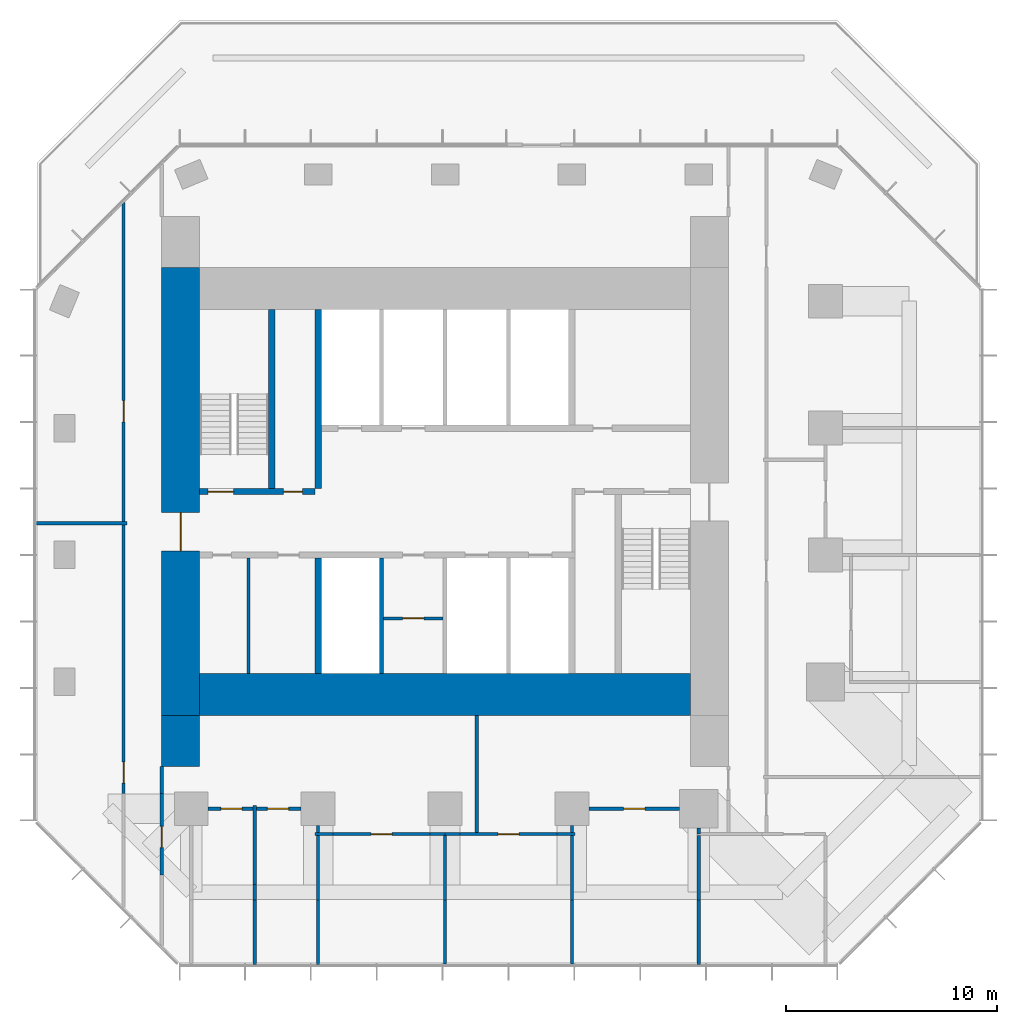
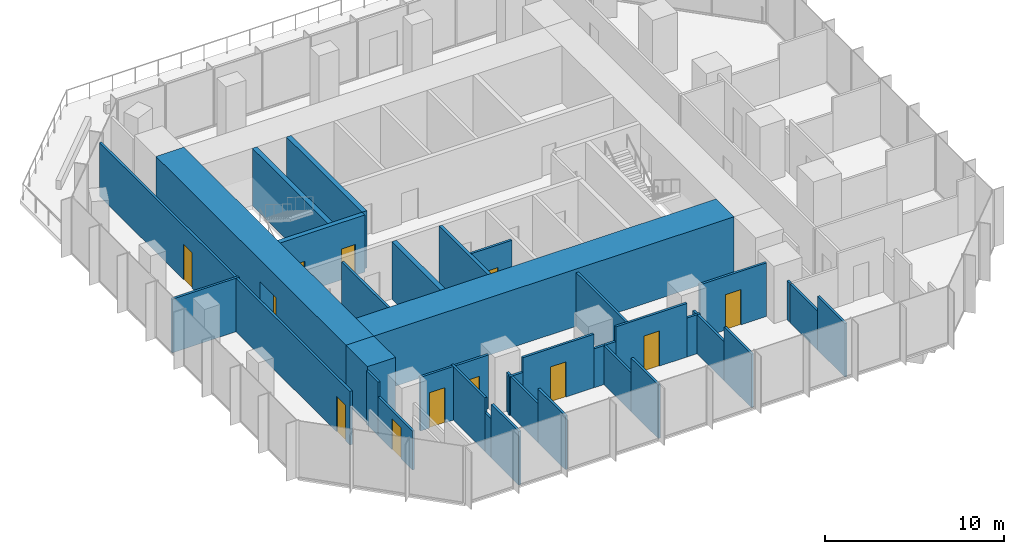
# One storey, part 8 of 11: 39 walls, 12 doors, 12 openings.
"""IFC4 building model written with IfcOpenShell, lengths in metres."""

from ifc_helpers import new_model, si_unit, direction, frame, frame_2d, origin, place, context, subcontext, project, spatial, rectangle, extrude, material, layer, layer_set, type_object, element, fill, save


model = new_model("IFC4")

# Units and contexts
model_context = context("Model", 3, precision=1e-05, world=origin(), true_north=direction((0.0, 1.0)))
body_context = subcontext(model_context, "Body", "Model", "MODEL_VIEW")
ifc_project = project(units=[si_unit("LENGTHUNIT", "METRE"), si_unit("AREAUNIT", "SQUARE_METRE"), si_unit("VOLUMEUNIT", "CUBIC_METRE"), si_unit("PLANEANGLEUNIT", "RADIAN"), si_unit("MASSUNIT", "GRAM", prefix="KILO")], contexts=[model_context])

# Site, building, storey
site_placement = place(None, origin())
site = spatial("IfcSite", under=ifc_project, at=site_placement, CompositionType="ELEMENT")
building_placement = place(site_placement, origin())
building = spatial("IfcBuilding", under=site, at=building_placement, Name="Highveld Stack Headquarters", CompositionType="ELEMENT")
storey_placement = place(building_placement, frame((0.0, 0.0, 268.39990234375)))
storey = spatial("IfcBuildingStorey", under=building, at=storey_placement, Name="L66", CompositionType="ELEMENT", Elevation=268.39990234375)

# Wall, opening, door
ifc_material_1 = material(Name="Concrete C60/75", Category="concrete")
ifc_layer_1 = layer(ifc_material_1, 1.800048828125)
ifc_layer_set_1 = layer_set([ifc_layer_1], Name="Concrete C60/75")
wall_type_1 = type_object("IfcWallType", Name="CORE WALL 1800 C60/75", PredefinedType="SHEAR", material=ifc_layer_set_1)
wall_1_placement = place(storey_placement, frame((-6.5, -7.60009765625, 0.0), z_axis=(0.0, 0.0, 1.0), x_axis=(0.0, 1.0, 0.0)))
wall_1 = element("IfcWall", 1, at=wall_1_placement, inside=storey, type_object=wall_type_1, Name="Core wall W L66", PredefinedType="SHEAR", context=body_context, shape_type="SweptSolid", body=[
    extrude(rectangle(XDim=21.2001953125, YDim=1.800048828125, at=frame_2d((10.60009765625, 0.0))), origin(), (0.0, 0.0, 1.0), 3.900146484375),
])
opening_1_placement = place(wall_1_placement, frame((7.800048828125, 0.0, 0.0)))
opening_1 = element("IfcOpeningElement", 2, at=opening_1_placement, cuts=wall_1, Name="Opening L66-02", PredefinedType="OPENING", context=body_context, shape_type="SweptSolid", body=[
    extrude(rectangle(XDim=1.800048828125, YDim=2.39990234375, at=frame_2d((0.89990234375, 1.199951171875))), frame((0.0, 0.909912109375, 0.0), z_axis=(0.0, -1.0, 0.0), x_axis=(1.0, 0.0, 0.0)), (0.0, 0.0, 1.0), 1.820068359375),
])
ifc_material_2 = material(Name="Steel fire door", Category="steel")
door_type_1 = type_object("IfcDoorType", Name="LOBBY FIRE DOOR D4 1800x2400", OperationType="DOUBLE_DOOR_SINGLE_SWING", PredefinedType="DOOR", material=ifc_material_2)
door_1_placement = place(opening_1_placement, origin())
door_1 = element("IfcDoor", 3, at=door_1_placement, inside=storey, type_object=door_type_1, Name="Core west door L66", OperationType="DOUBLE_DOOR_SINGLE_SWING", OverallHeight=2.39990234375, OverallWidth=1.800048828125, PredefinedType="DOOR", context=body_context, shape_type="SweptSolid", body=[
    extrude(rectangle(XDim=1.800048828125, YDim=2.39990234375, at=frame_2d((0.89990234375, 1.199951171875))), frame((0.0, 0.02490234375, 0.0), z_axis=(0.0, -1.0, 0.0), x_axis=(1.0, 0.0, 0.0)), (0.0, 0.0, 1.0), 0.050048828125),
])
fill(opening_1, door_1)

# Wall
ifc_material_3 = material(Name="Concrete C60/75", Category="concrete")
ifc_layer_2 = layer(ifc_material_3, 2.0)
ifc_layer_set_2 = layer_set([ifc_layer_2], Name="Concrete C60/75")
wall_type_2 = type_object("IfcWallType", Name="CORE WALL 2000 C60/75", PredefinedType="SHEAR", material=ifc_layer_set_2)
wall_2_placement = place(storey_placement, frame((-5.60009765625, -6.60009765625, 0.0), z_axis=(0.0, 0.0, 1.0), x_axis=(1.0, 0.0, 0.0)))
element("IfcWall", 4, at=wall_2_placement, inside=storey, type_object=wall_type_2, Name="Core wall S L66", PredefinedType="SHEAR", context=body_context, shape_type="SweptSolid", body=[
    extrude(rectangle(XDim=23.2001953125, YDim=2.0, at=frame_2d((11.60009765625, 0.0))), origin(), (0.0, 0.0, 1.0), 3.900146484375),
])

# Wall, openings, doors
ifc_material_4 = material(Name="Concrete C60/75", Category="concrete")
ifc_layer_3 = layer(ifc_material_4, 0.300048828125)
ifc_layer_set_3 = layer_set([ifc_layer_3], Name="Concrete C60/75")
wall_type_3 = type_object("IfcWallType", Name="CORE WALL 300 C60/75", PredefinedType="SHEAR", material=ifc_layer_set_3)
wall_3_placement = place(storey_placement, frame((-5.60009765625, 3.0, 0.0), z_axis=(0.0, 0.0, 1.0), x_axis=(1.0, 0.0, 0.0)))
wall_3 = element("IfcWall", 5, at=wall_3_placement, inside=storey, type_object=wall_type_3, Name="Core wall I-Y3W L66", PredefinedType="SHEAR", context=body_context, shape_type="SweptSolid", body=[
    extrude(rectangle(XDim=5.4501953125, YDim=0.300048828125, at=frame_2d((2.72509765625, 0.0))), origin(), (0.0, 0.0, 1.0), 3.900146484375),
])
opening_2_placement = place(wall_3_placement, frame((0.39990234375, 0.0, 0.0)))
opening_2 = element("IfcOpeningElement", 6, at=opening_2_placement, cuts=wall_3, Name="Opening L66-04", PredefinedType="OPENING", context=body_context, shape_type="SweptSolid", body=[
    extrude(rectangle(XDim=1.199951171875, YDim=2.10009765625, at=frame_2d((0.60009765625, 1.050048828125))), frame((0.0, 0.159912109375, 0.0), z_axis=(0.0, -1.0, 0.0), x_axis=(1.0, 0.0, 0.0)), (0.0, 0.0, 1.0), 0.320068359375),
])
opening_3_placement = place(wall_3_placement, frame((3.949951171875, 0.0, 0.0)))
opening_3 = element("IfcOpeningElement", 7, at=opening_3_placement, cuts=wall_3, Name="Opening L66-05", PredefinedType="OPENING", context=body_context, shape_type="SweptSolid", body=[
    extrude(rectangle(XDim=0.89990234375, YDim=2.10009765625, at=frame_2d((0.449951171875, 1.050048828125))), frame((0.0, 0.159912109375, 0.0), z_axis=(0.0, -1.0, 0.0), x_axis=(1.0, 0.0, 0.0)), (0.0, 0.0, 1.0), 0.320068359375),
])
ifc_material_5 = material(Name="Steel fire door", Category="steel")
door_type_2 = type_object("IfcDoorType", Name="RISER ACCESS DOOR D5 900x2100", OperationType="SINGLE_SWING_LEFT", PredefinedType="DOOR", material=ifc_material_5)
door_2_placement = place(opening_3_placement, origin())
door_2 = element("IfcDoor", 8, at=door_2_placement, inside=storey, type_object=door_type_2, Name="Riser R1 door L66", OperationType="SINGLE_SWING_RIGHT", OverallHeight=2.10009765625, OverallWidth=0.89990234375, PredefinedType="DOOR", context=body_context, shape_type="SweptSolid", body=[
    extrude(rectangle(XDim=0.89990234375, YDim=2.10009765625, at=frame_2d((0.449951171875, 1.050048828125))), frame((0.0, 0.02490234375, 0.0), z_axis=(0.0, -1.0, 0.0), x_axis=(1.0, 0.0, 0.0)), (0.0, 0.0, 1.0), 0.050048828125),
])
fill(opening_3, door_2)
ifc_material_6 = material(Name="Steel fire door", Category="steel")
door_type_3 = type_object("IfcDoorType", Name="STAIR FIRE DOOR D3 1200x2100", OperationType="SINGLE_SWING_LEFT", PredefinedType="DOOR", material=ifc_material_6)
door_3_placement = place(opening_2_placement, origin())
door_3 = element("IfcDoor", 9, at=door_3_placement, inside=storey, type_object=door_type_3, Name="Stair S1 door L66", OperationType="SINGLE_SWING_LEFT", OverallHeight=2.10009765625, OverallWidth=1.199951171875, PredefinedType="DOOR", context=body_context, shape_type="SweptSolid", body=[
    extrude(rectangle(XDim=1.199951171875, YDim=2.10009765625, at=frame_2d((0.60009765625, 1.050048828125))), frame((0.0, 0.02490234375, 0.0), z_axis=(0.0, -1.0, 0.0), x_axis=(1.0, 0.0, 0.0)), (0.0, 0.0, 1.0), 0.050048828125),
])
fill(opening_2, door_3)

# Walls
wall_4_placement = place(storey_placement, frame((0.0, -5.60009765625, 0.0), z_axis=(0.0, 0.0, 1.0), x_axis=(0.0, 1.0, 0.0)))
element("IfcWall", 10, at=wall_4_placement, inside=storey, type_object=wall_type_3, Name="Core wall I-X0S L66", PredefinedType="SHEAR", context=body_context, shape_type="SweptSolid", body=[
    extrude(rectangle(XDim=5.4501953125, YDim=0.300048828125, at=frame_2d((2.72509765625, 0.0))), origin(), (0.0, 0.0, 1.0), 3.900146484375),
])
for number, where, z_axis, x_axis, name in (
    (11, (0.0, 3.14990234375, 0.0), (0.0, 0.0, 1.0), (0.0, 1.0, 0.0), "Core wall I-X0N L66"),
    (12, (-2.199951171875, 3.14990234375, 0.0), (0.0, 0.0, 1.0), (0.0, 1.0, 0.0), "Core wall I-RW L66"),
):
    element("IfcWall", number, at=place(storey_placement, frame(where, z_axis=z_axis, x_axis=x_axis)), inside=storey, type_object=wall_type_3, Name=name, PredefinedType="SHEAR", context=body_context, shape_type="SweptSolid", body=[
        extrude(rectangle(XDim=8.4501953125, YDim=0.300048828125, at=frame_2d((4.22509765625, 0.0))), origin(), (0.0, 0.0, 1.0), 3.900146484375),
    ])
ifc_material_7 = material(Name="Concrete C60/75", Category="concrete")
ifc_layer_4 = layer(ifc_material_7, 1.800048828125)
ifc_layer_set_4 = layer_set([ifc_layer_4], Name="Concrete C60/75")
wall_type_4 = type_object("IfcWallType", Name="CORE WING WALL 1800 C60/75", PredefinedType="SHEAR", material=ifc_layer_set_4)
wall_5_placement = place(storey_placement, frame((-6.5, -10.0, 0.0), z_axis=(0.0, 0.0, 1.0), x_axis=(0.0, 1.0, 0.0)))
element("IfcWall", 13, at=wall_5_placement, inside=storey, type_object=wall_type_4, Name="Core wing wall WS L66", PredefinedType="SHEAR", context=body_context, shape_type="SweptSolid", body=[
    extrude(rectangle(XDim=2.39990234375, YDim=1.800048828125, at=frame_2d((1.199951171875, 0.0))), origin(), (0.0, 0.0, 1.0), 3.900146484375),
])

# Wall, opening, door
ifc_material_8 = material(Name="Concrete blockwork, plastered", Category="masonry")
ifc_layer_5 = layer(ifc_material_8, 0.14990234375)
ifc_layer_set_5 = layer_set([ifc_layer_5], Name="Concrete blockwork, plastered")
wall_type_5 = type_object("IfcWallType", Name="FIRE PARTITION 150 BLOCKWORK", PredefinedType="PARTITIONING", material=ifc_layer_set_5)
wall_6_placement = place(storey_placement, frame((3.10009765625, -3.0, 0.0), z_axis=(0.0, 0.0, 1.0), x_axis=(1.0, 0.0, 0.0)))
wall_6 = element("IfcWall", 14, at=wall_6_placement, inside=storey, type_object=wall_type_5, Name="Core room partition L66", PredefinedType="PARTITIONING", context=body_context, shape_type="SweptSolid", body=[
    extrude(rectangle(XDim=2.7998046875, YDim=0.14990234375, at=frame_2d((1.39990234375, 0.0))), origin(), (0.0, 0.0, 1.0), 3.650146484375),
])
opening_4_placement = place(wall_6_placement, frame((0.89990234375, 0.0, 0.0)))
opening_4 = element("IfcOpeningElement", 15, at=opening_4_placement, cuts=wall_6, Name="Opening L66-11", PredefinedType="OPENING", context=body_context, shape_type="SweptSolid", body=[
    extrude(rectangle(XDim=1.0, YDim=2.10009765625, at=frame_2d((0.5, 1.050048828125))), frame((0.0, 0.0849609375, 0.0), z_axis=(0.0, -1.0, 0.0), x_axis=(1.0, 0.0, 0.0)), (0.0, 0.0, 1.0), 0.169921875),
])
ifc_material_9 = material(Name="Steel fire door", Category="steel")
door_type_4 = type_object("IfcDoorType", Name="CORE ROOM FIRE DOOR D14 1000x2100", OperationType="SINGLE_SWING_LEFT", PredefinedType="DOOR", material=ifc_material_9)
door_4_placement = place(opening_4_placement, origin())
door_4 = element("IfcDoor", 16, at=door_4_placement, inside=storey, type_object=door_type_4, Name="Capped B 2 door L66", OperationType="SINGLE_SWING_RIGHT", OverallHeight=2.10009765625, OverallWidth=1.0, PredefinedType="DOOR", context=body_context, shape_type="SweptSolid", body=[
    extrude(rectangle(XDim=1.0, YDim=2.10009765625, at=frame_2d((0.5, 1.050048828125))), frame((0.0, 0.02490234375, 0.0), z_axis=(0.0, -1.0, 0.0), x_axis=(1.0, 0.0, 0.0)), (0.0, 0.0, 1.0), 0.050048828125),
])
fill(opening_4, door_4)

# Walls
ifc_material_10 = material(Name="Concrete blockwork, fair-faced", Category="masonry")
ifc_layer_6 = layer(ifc_material_10, 0.199951171875)
ifc_layer_set_6 = layer_set([ifc_layer_6], Name="Concrete blockwork, fair-faced")
wall_type_6 = type_object("IfcWallType", Name="LIFT SHAFT ENCLOSURE WALL 200 BLOCKWORK", PredefinedType="SOLIDWALL", material=ifc_layer_set_6)
wall_7_placement = place(storey_placement, frame((3.0, -5.60009765625, 0.0), z_axis=(0.0, 0.0, 1.0), x_axis=(0.0, 1.0, 0.0)))
element("IfcWall", 17, at=wall_7_placement, inside=storey, type_object=wall_type_6, Name="Lift shaft wall L66", PredefinedType="SOLIDWALL", context=body_context, shape_type="SweptSolid", body=[
    extrude(rectangle(XDim=5.4501953125, YDim=0.199951171875, at=frame_2d((2.72509765625, 0.0))), origin(), (0.0, 0.0, 1.0), 3.900146484375),
])
ifc_material_11 = material(Name="Gypsum plasterboard on steel studs", Category="steel")
ifc_layer_7 = layer(ifc_material_11, 0.14990234375)
ifc_layer_set_7 = layer_set([ifc_layer_7], Name="Gypsum plasterboard on steel studs")
wall_type_7 = type_object("IfcWallType", Name="PARTITION 150 PLASTERBOARD", PredefinedType="PARTITIONING", material=ifc_layer_set_7)
wall_8_placement = place(storey_placement, frame((-0.14990234375, -13.199951171875, 0.0), z_axis=(0.0, 0.0, 1.0), x_axis=(1.0, 0.0, 0.0)))
element("IfcWall", 18, at=wall_8_placement, inside=storey, type_object=wall_type_7, Name="Partition Assistants office L66", PredefinedType="PARTITIONING", context=body_context, shape_type="SweptSolid", body=[
    extrude(rectangle(XDim=0.85986328125, YDim=0.14990234375, at=frame_2d((0.429931640625, 0.0))), origin(), (0.0, 0.0, 1.0), 2.650146484375),
])

# Wall, opening, door
wall_9_placement = place(storey_placement, frame((0.7099609375, -13.199951171875, 0.0), z_axis=(0.0, 0.0, 1.0), x_axis=(1.0, 0.0, 0.0)))
wall_9 = element("IfcWall", 19, at=wall_9_placement, inside=storey, type_object=wall_type_7, Name="Partition Assistants office L66", PredefinedType="PARTITIONING", context=body_context, shape_type="SweptSolid", body=[
    extrude(rectangle(XDim=4.580078125, YDim=0.14990234375, at=frame_2d((2.2900390625, 0.0))), origin(), (0.0, 0.0, 1.0), 3.650146484375),
])
opening_5_placement = place(wall_9_placement, frame((1.7900390625, 0.0, 0.0)))
opening_5 = element("IfcOpeningElement", 20, at=opening_5_placement, cuts=wall_9, Name="Opening L66-15", PredefinedType="OPENING", context=body_context, shape_type="SweptSolid", body=[
    extrude(rectangle(XDim=1.0, YDim=2.39990234375, at=frame_2d((0.5, 1.199951171875))), frame((0.0, 0.0849609375, 0.0), z_axis=(0.0, -1.0, 0.0), x_axis=(1.0, 0.0, 0.0)), (0.0, 0.0, 1.0), 0.169921875),
])
ifc_material_12 = material(Name="Timber door, oiled ash", Category="wood")
door_type_5 = type_object("IfcDoorType", Name="ROOM DOOR D11 1000x2400", OperationType="SINGLE_SWING_LEFT", PredefinedType="DOOR", material=ifc_material_12)
door_5_placement = place(opening_5_placement, origin())
door_5 = element("IfcDoor", 21, at=door_5_placement, inside=storey, type_object=door_type_5, Name="Assistants office door 1 L66", OperationType="SINGLE_SWING_LEFT", OverallHeight=2.39990234375, OverallWidth=1.0, PredefinedType="DOOR", context=body_context, shape_type="SweptSolid", body=[
    extrude(rectangle(XDim=1.0, YDim=2.39990234375, at=frame_2d((0.5, 1.199951171875))), frame((0.0, 0.02490234375, 0.0), z_axis=(0.0, -1.0, 0.0), x_axis=(1.0, 0.0, 0.0)), (0.0, 0.0, 1.0), 0.050048828125),
])
fill(opening_5, door_5)

# Walls
wall_10_placement = place(storey_placement, frame((5.2900390625, -13.199951171875, 0.0), z_axis=(0.0, 0.0, 1.0), x_axis=(1.0, 0.0, 0.0)))
element("IfcWall", 22, at=wall_10_placement, inside=storey, type_object=wall_type_7, Name="Partition Assistants office L66", PredefinedType="PARTITIONING", context=body_context, shape_type="SweptSolid", body=[
    extrude(rectangle(XDim=0.784912109375, YDim=0.14990234375, at=frame_2d((0.392578125, 0.0))), origin(), (0.0, 0.0, 1.0), 2.650146484375),
])
wall_11_placement = place(storey_placement, frame((6.0, -13.199951171875, 0.0), z_axis=(0.0, 0.0, 1.0), x_axis=(1.0, 0.0, 0.0)))
element("IfcWall", 23, at=wall_11_placement, inside=storey, type_object=wall_type_7, Name="Partition Tea kitchen L66", PredefinedType="PARTITIONING", context=body_context, shape_type="SweptSolid", body=[
    extrude(rectangle(XDim=0.7099609375, YDim=0.14990234375, at=frame_2d((0.35498046875, 0.0))), origin(), (0.0, 0.0, 1.0), 2.650146484375),
])

# Wall, opening, door
wall_12_placement = place(storey_placement, frame((6.7099609375, -13.199951171875, 0.0), z_axis=(0.0, 0.0, 1.0), x_axis=(1.0, 0.0, 0.0)))
wall_12 = element("IfcWall", 24, at=wall_12_placement, inside=storey, type_object=wall_type_7, Name="Partition Tea kitchen L66", PredefinedType="PARTITIONING", context=body_context, shape_type="SweptSolid", body=[
    extrude(rectangle(XDim=4.580078125, YDim=0.14990234375, at=frame_2d((2.2900390625, 0.0))), origin(), (0.0, 0.0, 1.0), 3.650146484375),
])
opening_6_placement = place(wall_12_placement, frame((1.7900390625, 0.0, 0.0)))
opening_6 = element("IfcOpeningElement", 25, at=opening_6_placement, cuts=wall_12, Name="Opening L66-16", PredefinedType="OPENING", context=body_context, shape_type="SweptSolid", body=[
    extrude(rectangle(XDim=1.0, YDim=2.39990234375, at=frame_2d((0.5, 1.199951171875))), frame((0.0, 0.0849609375, 0.0), z_axis=(0.0, -1.0, 0.0), x_axis=(1.0, 0.0, 0.0)), (0.0, 0.0, 1.0), 0.169921875),
])
door_6_placement = place(opening_6_placement, origin())
door_6 = element("IfcDoor", 26, at=door_6_placement, inside=storey, type_object=door_type_5, Name="Tea kitchen door 1 L66", OperationType="SINGLE_SWING_LEFT", OverallHeight=2.39990234375, OverallWidth=1.0, PredefinedType="DOOR", context=body_context, shape_type="SweptSolid", body=[
    extrude(rectangle(XDim=1.0, YDim=2.39990234375, at=frame_2d((0.5, 1.199951171875))), frame((0.0, 0.02490234375, 0.0), z_axis=(0.0, -1.0, 0.0), x_axis=(1.0, 0.0, 0.0)), (0.0, 0.0, 1.0), 0.050048828125),
])
fill(opening_6, door_6)

# Wall
wall_13_placement = place(storey_placement, frame((11.2900390625, -13.199951171875, 0.0), z_axis=(0.0, 0.0, 1.0), x_axis=(1.0, 0.0, 0.0)))
element("IfcWall", 27, at=wall_13_placement, inside=storey, type_object=wall_type_7, Name="Partition Tea kitchen L66", PredefinedType="PARTITIONING", context=body_context, shape_type="SweptSolid", body=[
    extrude(rectangle(XDim=0.85986328125, YDim=0.14990234375, at=frame_2d((0.429931640625, 0.0))), origin(), (0.0, 0.0, 1.0), 2.650146484375),
])

# Wall, opening, door
wall_14_placement = place(storey_placement, frame((-5.199951171875, -12.0, 0.0), z_axis=(0.0, 0.0, 1.0), x_axis=(1.0, 0.0, 0.0)))
wall_14 = element("IfcWall", 28, at=wall_14_placement, inside=storey, type_object=wall_type_7, Name="Partition Office L66", PredefinedType="PARTITIONING", context=body_context, shape_type="SweptSolid", body=[
    extrude(rectangle(XDim=2.125, YDim=0.14990234375, at=frame_2d((1.0625, 0.0))), origin(), (0.0, 0.0, 1.0), 3.650146484375),
])
opening_7_placement = place(wall_14_placement, frame((0.60009765625, 0.0, 0.0)))
opening_7 = element("IfcOpeningElement", 29, at=opening_7_placement, cuts=wall_14, Name="Opening L66-13", PredefinedType="OPENING", context=body_context, shape_type="SweptSolid", body=[
    extrude(rectangle(XDim=1.0, YDim=2.39990234375, at=frame_2d((0.5, 1.199951171875))), frame((0.0, 0.0849609375, 0.0), z_axis=(0.0, -1.0, 0.0), x_axis=(1.0, 0.0, 0.0)), (0.0, 0.0, 1.0), 0.169921875),
])
door_7_placement = place(opening_7_placement, origin())
door_7 = element("IfcDoor", 30, at=door_7_placement, inside=storey, type_object=door_type_5, Name="Office door 1 L66", OperationType="SINGLE_SWING_RIGHT", OverallHeight=2.39990234375, OverallWidth=1.0, PredefinedType="DOOR", context=body_context, shape_type="SweptSolid", body=[
    extrude(rectangle(XDim=1.0, YDim=2.39990234375, at=frame_2d((0.5, 1.199951171875))), frame((0.0, 0.02490234375, 0.0), z_axis=(0.0, -1.0, 0.0), x_axis=(1.0, 0.0, 0.0)), (0.0, 0.0, 1.0), 0.050048828125),
])
fill(opening_7, door_7)

wall_15_placement = place(storey_placement, frame((-2.925048828125, -12.0, 0.0), z_axis=(0.0, 0.0, 1.0), x_axis=(1.0, 0.0, 0.0)))
wall_15 = element("IfcWall", 31, at=wall_15_placement, inside=storey, type_object=wall_type_7, Name="Partition Office L66", PredefinedType="PARTITIONING", context=body_context, shape_type="SweptSolid", body=[
    extrude(rectangle(XDim=2.125, YDim=0.14990234375, at=frame_2d((1.0625, 0.0))), origin(), (0.0, 0.0, 1.0), 3.650146484375),
])
opening_8_placement = place(wall_15_placement, frame((0.52490234375, 0.0, 0.0)))
opening_8 = element("IfcOpeningElement", 32, at=opening_8_placement, cuts=wall_15, Name="Opening L66-14", PredefinedType="OPENING", context=body_context, shape_type="SweptSolid", body=[
    extrude(rectangle(XDim=1.0, YDim=2.39990234375, at=frame_2d((0.5, 1.199951171875))), frame((0.0, 0.0849609375, 0.0), z_axis=(0.0, -1.0, 0.0), x_axis=(1.0, 0.0, 0.0)), (0.0, 0.0, 1.0), 0.169921875),
])
door_8_placement = place(opening_8_placement, origin())
door_8 = element("IfcDoor", 33, at=door_8_placement, inside=storey, type_object=door_type_5, Name="Office door 1 L66", OperationType="SINGLE_SWING_LEFT", OverallHeight=2.39990234375, OverallWidth=1.0, PredefinedType="DOOR", context=body_context, shape_type="SweptSolid", body=[
    extrude(rectangle(XDim=1.0, YDim=2.39990234375, at=frame_2d((0.5, 1.199951171875))), frame((0.0, 0.02490234375, 0.0), z_axis=(0.0, -1.0, 0.0), x_axis=(1.0, 0.0, 0.0)), (0.0, 0.0, 1.0), 0.050048828125),
])
fill(opening_8, door_8)

wall_16_placement = place(storey_placement, frame((12.800048828125, -12.0, 0.0), z_axis=(0.0, 0.0, 1.0), x_axis=(1.0, 0.0, 0.0)))
wall_16 = element("IfcWall", 34, at=wall_16_placement, inside=storey, type_object=wall_type_7, Name="Partition Executive office L66", PredefinedType="PARTITIONING", context=body_context, shape_type="SweptSolid", body=[
    extrude(rectangle(XDim=4.300048828125, YDim=0.14990234375, at=frame_2d((2.14990234375, 0.0))), origin(), (0.0, 0.0, 1.0), 3.650146484375),
])
opening_9_placement = place(wall_16_placement, frame((1.64990234375, 0.0, 0.0)))
opening_9 = element("IfcOpeningElement", 35, at=opening_9_placement, cuts=wall_16, Name="Opening L66-17", PredefinedType="OPENING", context=body_context, shape_type="SweptSolid", body=[
    extrude(rectangle(XDim=1.0, YDim=2.39990234375, at=frame_2d((0.5, 1.199951171875))), frame((0.0, 0.0849609375, 0.0), z_axis=(0.0, -1.0, 0.0), x_axis=(1.0, 0.0, 0.0)), (0.0, 0.0, 1.0), 0.169921875),
])
door_9_placement = place(opening_9_placement, origin())
door_9 = element("IfcDoor", 36, at=door_9_placement, inside=storey, type_object=door_type_5, Name="Executive office door 1 L66", OperationType="SINGLE_SWING_RIGHT", OverallHeight=2.39990234375, OverallWidth=1.0, PredefinedType="DOOR", context=body_context, shape_type="SweptSolid", body=[
    extrude(rectangle(XDim=1.0, YDim=2.39990234375, at=frame_2d((0.5, 1.199951171875))), frame((0.0, 0.02490234375, 0.0), z_axis=(0.0, -1.0, 0.0), x_axis=(1.0, 0.0, 0.0)), (0.0, 0.0, 1.0), 0.050048828125),
])
fill(opening_9, door_9)

# Walls
wall_17_placement = place(storey_placement, frame((-3.0, -19.375, 0.0), z_axis=(0.0, 0.0, 1.0), x_axis=(0.0, 1.0, 0.0)))
element("IfcWall", 37, at=wall_17_placement, inside=storey, type_object=wall_type_7, Name="Partition Office L66", PredefinedType="PARTITIONING", context=body_context, shape_type="SweptSolid", body=[
    extrude(rectangle(XDim=3.06494140625, YDim=0.14990234375, at=frame_2d((1.532470703125, 0.0))), origin(), (0.0, 0.0, 1.0), 3.650146484375),
])
wall_18_placement = place(storey_placement, frame((-3.0, -16.31005859375, 0.0), z_axis=(0.0, 0.0, 1.0), x_axis=(0.0, 1.0, 0.0)))
element("IfcWall", 38, at=wall_18_placement, inside=storey, type_object=wall_type_7, Name="Partition Office L66", PredefinedType="PARTITIONING", context=body_context, shape_type="SweptSolid", body=[
    extrude(rectangle(XDim=0.719970703125, YDim=0.14990234375, at=frame_2d((0.35986328125, 0.0))), origin(), (0.0, 0.0, 1.0), 2.650146484375),
])
wall_19_placement = place(storey_placement, frame((-3.0, -15.590087890625, 0.0), z_axis=(0.0, 0.0, 1.0), x_axis=(0.0, 1.0, 0.0)))
element("IfcWall", 39, at=wall_19_placement, inside=storey, type_object=wall_type_7, Name="Partition Office L66", PredefinedType="PARTITIONING", context=body_context, shape_type="SweptSolid", body=[
    extrude(rectangle(XDim=3.739990234375, YDim=0.14990234375, at=frame_2d((1.8701171875, 0.0))), origin(), (0.0, 0.0, 1.0), 3.650146484375),
])
wall_20_placement = place(storey_placement, frame((0.0, -19.375, 0.0), z_axis=(0.0, 0.0, 1.0), x_axis=(0.0, 1.0, 0.0)))
element("IfcWall", 40, at=wall_20_placement, inside=storey, type_object=wall_type_7, Name="Partition Assistants office / Office L66", PredefinedType="PARTITIONING", context=body_context, shape_type="SweptSolid", body=[
    extrude(rectangle(XDim=3.06494140625, YDim=0.14990234375, at=frame_2d((1.532470703125, 0.0))), origin(), (0.0, 0.0, 1.0), 3.650146484375),
])
wall_21_placement = place(storey_placement, frame((0.0, -16.31005859375, 0.0), z_axis=(0.0, 0.0, 1.0), x_axis=(0.0, 1.0, 0.0)))
element("IfcWall", 41, at=wall_21_placement, inside=storey, type_object=wall_type_7, Name="Partition Assistants office / Office L66", PredefinedType="PARTITIONING", context=body_context, shape_type="SweptSolid", body=[
    extrude(rectangle(XDim=3.03515625, YDim=0.14990234375, at=frame_2d((1.517578125, 0.0))), origin(), (0.0, 0.0, 1.0), 2.650146484375),
])
wall_22_placement = place(storey_placement, frame((0.0, -13.125, 0.0), z_axis=(0.0, 0.0, 1.0), x_axis=(0.0, 1.0, 0.0)))
element("IfcWall", 42, at=wall_22_placement, inside=storey, type_object=wall_type_7, Name="Partition Office L66", PredefinedType="PARTITIONING", context=body_context, shape_type="SweptSolid", body=[
    extrude(rectangle(XDim=0.324951171875, YDim=0.14990234375, at=frame_2d((0.16259765625, 0.0))), origin(), (0.0, 0.0, 1.0), 2.650146484375),
])
wall_23_placement = place(storey_placement, frame((6.0, -19.35009765625, 0.0), z_axis=(0.0, 0.0, 1.0), x_axis=(0.0, 1.0, 0.0)))
element("IfcWall", 43, at=wall_23_placement, inside=storey, type_object=wall_type_7, Name="Partition Assistants office / Tea kitchen L66", PredefinedType="PARTITIONING", context=body_context, shape_type="SweptSolid", body=[
    extrude(rectangle(XDim=3.0400390625, YDim=0.14990234375, at=frame_2d((1.52001953125, 0.0))), origin(), (0.0, 0.0, 1.0), 3.650146484375),
])
wall_24_placement = place(storey_placement, frame((6.0, -16.31005859375, 0.0), z_axis=(0.0, 0.0, 1.0), x_axis=(0.0, 1.0, 0.0)))
element("IfcWall", 44, at=wall_24_placement, inside=storey, type_object=wall_type_7, Name="Partition Assistants office / Tea kitchen L66", PredefinedType="PARTITIONING", context=body_context, shape_type="SweptSolid", body=[
    extrude(rectangle(XDim=3.03515625, YDim=0.14990234375, at=frame_2d((1.517578125, 0.0))), origin(), (0.0, 0.0, 1.0), 2.650146484375),
])
wall_25_placement = place(storey_placement, frame((12.0, -19.35009765625, 0.0), z_axis=(0.0, 0.0, 1.0), x_axis=(0.0, 1.0, 0.0)))
element("IfcWall", 45, at=wall_25_placement, inside=storey, type_object=wall_type_7, Name="Partition Executive office / Tea kitchen L66", PredefinedType="PARTITIONING", context=body_context, shape_type="SweptSolid", body=[
    extrude(rectangle(XDim=3.0400390625, YDim=0.14990234375, at=frame_2d((1.52001953125, 0.0))), origin(), (0.0, 0.0, 1.0), 3.650146484375),
])
wall_26_placement = place(storey_placement, frame((12.0, -16.31005859375, 0.0), z_axis=(0.0, 0.0, 1.0), x_axis=(0.0, 1.0, 0.0)))
element("IfcWall", 46, at=wall_26_placement, inside=storey, type_object=wall_type_7, Name="Partition Executive office / Tea kitchen L66", PredefinedType="PARTITIONING", context=body_context, shape_type="SweptSolid", body=[
    extrude(rectangle(XDim=3.03515625, YDim=0.14990234375, at=frame_2d((1.517578125, 0.0))), origin(), (0.0, 0.0, 1.0), 2.650146484375),
])
wall_27_placement = place(storey_placement, frame((12.0, -13.125, 0.0), z_axis=(0.0, 0.0, 1.0), x_axis=(0.0, 1.0, 0.0)))
element("IfcWall", 47, at=wall_27_placement, inside=storey, type_object=wall_type_7, Name="Partition Executive office L66", PredefinedType="PARTITIONING", context=body_context, shape_type="SweptSolid", body=[
    extrude(rectangle(XDim=0.324951171875, YDim=0.14990234375, at=frame_2d((0.16259765625, 0.0))), origin(), (0.0, 0.0, 1.0), 2.650146484375),
])
wall_28_placement = place(storey_placement, frame((18.0, -19.375, 0.0), z_axis=(0.0, 0.0, 1.0), x_axis=(0.0, 1.0, 0.0)))
element("IfcWall", 48, at=wall_28_placement, inside=storey, type_object=wall_type_7, Name="Partition Assistants office / Executive office L66", PredefinedType="PARTITIONING", context=body_context, shape_type="SweptSolid", body=[
    extrude(rectangle(XDim=3.06494140625, YDim=0.14990234375, at=frame_2d((1.532470703125, 0.0))), origin(), (0.0, 0.0, 1.0), 3.650146484375),
])
wall_29_placement = place(storey_placement, frame((18.0, -16.31005859375, 0.0), z_axis=(0.0, 0.0, 1.0), x_axis=(0.0, 1.0, 0.0)))
element("IfcWall", 49, at=wall_29_placement, inside=storey, type_object=wall_type_7, Name="Partition Assistants office / Executive office L66", PredefinedType="PARTITIONING", context=body_context, shape_type="SweptSolid", body=[
    extrude(rectangle(XDim=3.03515625, YDim=0.14990234375, at=frame_2d((1.517578125, 0.0))), origin(), (0.0, 0.0, 1.0), 2.650146484375),
])
wall_30_placement = place(storey_placement, frame((18.0, -13.199951171875, 0.0), z_axis=(0.0, 0.0, 1.0), x_axis=(0.0, 1.0, 0.0)))
element("IfcWall", 50, at=wall_30_placement, inside=storey, type_object=wall_type_7, Name="Partition Executive office L66", PredefinedType="PARTITIONING", context=body_context, shape_type="SweptSolid", body=[
    extrude(rectangle(XDim=0.300048828125, YDim=0.14990234375, at=frame_2d((0.14990234375, 0.0))), origin(), (0.0, 0.0, 1.0), 2.650146484375),
])
wall_31_placement = place(storey_placement, frame((-13.375, 1.5, 0.0), z_axis=(0.0, 0.0, 1.0), x_axis=(1.0, 0.0, 0.0)))
element("IfcWall", 51, at=wall_31_placement, inside=storey, type_object=wall_type_7, Name="Partition office neighbourhood L66", PredefinedType="PARTITIONING", context=body_context, shape_type="SweptSolid", body=[
    extrude(rectangle(XDim=4.324951171875, YDim=0.14990234375, at=frame_2d((2.16259765625, 0.0))), origin(), (0.0, 0.0, 1.0), 3.650146484375),
])

# Wall, opening, door
wall_32_placement = place(storey_placement, frame((-9.199951171875, -11.2900390625, 0.0), z_axis=(0.0, 0.0, 1.0), x_axis=(0.0, 1.0, 0.0)))
wall_32 = element("IfcWall", 52, at=wall_32_placement, inside=storey, type_object=wall_type_7, Name="Partition office neighbourhood L66", PredefinedType="PARTITIONING", context=body_context, shape_type="SweptSolid", body=[
    extrude(rectangle(XDim=12.715087890625, YDim=0.14990234375, at=frame_2d((6.357421875, 0.0))), origin(), (0.0, 0.0, 1.0), 3.650146484375),
])
opening_10_placement = place(wall_32_placement, frame((0.5, 0.0, 0.0)))
opening_10 = element("IfcOpeningElement", 53, at=opening_10_placement, cuts=wall_32, Name="Opening L66-22", PredefinedType="OPENING", context=body_context, shape_type="SweptSolid", body=[
    extrude(rectangle(XDim=1.0, YDim=2.39990234375, at=frame_2d((0.5, 1.199951171875))), frame((0.0, 0.0849609375, 0.0), z_axis=(0.0, -1.0, 0.0), x_axis=(1.0, 0.0, 0.0)), (0.0, 0.0, 1.0), 0.169921875),
])
door_10_placement = place(opening_10_placement, origin())
door_10 = element("IfcDoor", 54, at=door_10_placement, inside=storey, type_object=door_type_5, Name="Office neighbourhood door L66", OperationType="SINGLE_SWING_LEFT", OverallHeight=2.39990234375, OverallWidth=1.0, PredefinedType="DOOR", context=body_context, shape_type="SweptSolid", body=[
    extrude(rectangle(XDim=1.0, YDim=2.39990234375, at=frame_2d((0.5, 1.199951171875))), frame((0.0, 0.02490234375, 0.0), z_axis=(0.0, -1.0, 0.0), x_axis=(1.0, 0.0, 0.0)), (0.0, 0.0, 1.0), 0.050048828125),
])
fill(opening_10, door_10)

wall_33_placement = place(storey_placement, frame((-9.199951171875, 1.574951171875, 0.0), z_axis=(0.0, 0.0, 1.0), x_axis=(0.0, 1.0, 0.0)))
wall_33 = element("IfcWall", 55, at=wall_33_placement, inside=storey, type_object=wall_type_7, Name="Partition office neighbourhood L66", PredefinedType="PARTITIONING", context=body_context, shape_type="SweptSolid", body=[
    extrude(rectangle(XDim=15.089111328125, YDim=0.14990234375, at=frame_2d((7.54443359375, 0.0))), origin(), (0.0, 0.0, 1.0), 3.650146484375),
])
opening_11_placement = place(wall_33_placement, frame((4.72412109375, 0.0, 0.0)))
opening_11 = element("IfcOpeningElement", 56, at=opening_11_placement, cuts=wall_33, Name="Opening L66-24", PredefinedType="OPENING", context=body_context, shape_type="SweptSolid", body=[
    extrude(rectangle(XDim=1.0, YDim=2.39990234375, at=frame_2d((0.5, 1.199951171875))), frame((0.0, 0.0849609375, 0.0), z_axis=(0.0, -1.0, 0.0), x_axis=(1.0, 0.0, 0.0)), (0.0, 0.0, 1.0), 0.169921875),
])
door_11_placement = place(opening_11_placement, origin())
door_11 = element("IfcDoor", 57, at=door_11_placement, inside=storey, type_object=door_type_5, Name="Office neighbourhood door L66", OperationType="SINGLE_SWING_LEFT", OverallHeight=2.39990234375, OverallWidth=1.0, PredefinedType="DOOR", context=body_context, shape_type="SweptSolid", body=[
    extrude(rectangle(XDim=1.0, YDim=2.39990234375, at=frame_2d((0.5, 1.199951171875))), frame((0.0, 0.02490234375, 0.0), z_axis=(0.0, -1.0, 0.0), x_axis=(1.0, 0.0, 0.0)), (0.0, 0.0, 1.0), 0.050048828125),
])
fill(opening_11, door_11)

wall_34_placement = place(storey_placement, frame((-7.39990234375, -15.139892578125, 0.0), z_axis=(0.0, 0.0, 1.0), x_axis=(0.0, 1.0, 0.0)))
wall_34 = element("IfcWall", 58, at=wall_34_placement, inside=storey, type_object=wall_type_7, Name="Partition office neighbourhood L66", PredefinedType="PARTITIONING", context=body_context, shape_type="SweptSolid", body=[
    extrude(rectangle(XDim=3.849853515625, YDim=0.14990234375, at=frame_2d((1.9248046875, 0.0))), origin(), (0.0, 0.0, 1.0), 2.650146484375),
])
opening_12_placement = place(wall_34_placement, frame((1.300048828125, 0.0, 0.0)))
opening_12 = element("IfcOpeningElement", 59, at=opening_12_placement, cuts=wall_34, Name="Opening L66-26", PredefinedType="OPENING", context=body_context, shape_type="SweptSolid", body=[
    extrude(rectangle(XDim=1.0, YDim=2.10009765625, at=frame_2d((0.5, 1.050048828125))), frame((0.0, 0.0849609375, 0.0), z_axis=(0.0, -1.0, 0.0), x_axis=(1.0, 0.0, 0.0)), (0.0, 0.0, 1.0), 0.169921875),
])
ifc_material_13 = material(Name="Timber door, oiled ash", Category="wood")
door_type_6 = type_object("IfcDoorType", Name="ROOM DOOR D6 1000x2100", OperationType="SINGLE_SWING_LEFT", PredefinedType="DOOR", material=ifc_material_13)
door_12_placement = place(opening_12_placement, origin())
door_12 = element("IfcDoor", 60, at=door_12_placement, inside=storey, type_object=door_type_6, Name="Office neighbourhood door L66", OperationType="SINGLE_SWING_LEFT", OverallHeight=2.10009765625, OverallWidth=1.0, PredefinedType="DOOR", context=body_context, shape_type="SweptSolid", body=[
    extrude(rectangle(XDim=1.0, YDim=2.10009765625, at=frame_2d((0.5, 1.050048828125))), frame((0.0, 0.02490234375, 0.0), z_axis=(0.0, -1.0, 0.0), x_axis=(1.0, 0.0, 0.0)), (0.0, 0.0, 1.0), 0.050048828125),
])
fill(opening_12, door_12)

# Walls
wall_35_placement = place(storey_placement, frame((-7.39990234375, -11.2900390625, 0.0), z_axis=(0.0, 0.0, 1.0), x_axis=(0.0, 1.0, 0.0)))
element("IfcWall", 61, at=wall_35_placement, inside=storey, type_object=wall_type_7, Name="Partition office neighbourhood L66", PredefinedType="PARTITIONING", context=body_context, shape_type="SweptSolid", body=[
    extrude(rectangle(XDim=1.2900390625, YDim=0.14990234375, at=frame_2d((0.64501953125, 0.0))), origin(), (0.0, 0.0, 1.0), 3.650146484375),
])
wall_36_placement = place(storey_placement, frame((7.5, -13.125, 0.0), z_axis=(0.0, 0.0, 1.0), x_axis=(0.0, 1.0, 0.0)))
element("IfcWall", 62, at=wall_36_placement, inside=storey, type_object=wall_type_7, Name="Partition office neighbourhood L66", PredefinedType="PARTITIONING", context=body_context, shape_type="SweptSolid", body=[
    extrude(rectangle(XDim=5.52490234375, YDim=0.14990234375, at=frame_2d((2.762451171875, 0.0))), origin(), (0.0, 0.0, 1.0), 3.650146484375),
])
ifc_material_14 = material(Name="Concrete blockwork, tiled", Category="masonry")
ifc_layer_8 = layer(ifc_material_14, 0.14990234375)
ifc_layer_set_8 = layer_set([ifc_layer_8], Name="Concrete blockwork, tiled")
wall_type_8 = type_object("IfcWallType", Name="WC PARTITION 150", PredefinedType="PLUMBINGWALL", material=ifc_layer_set_8)
wall_37_placement = place(storey_placement, frame((-3.300048828125, -5.60009765625, 0.0), z_axis=(0.0, 0.0, 1.0), x_axis=(0.0, 1.0, 0.0)))
element("IfcWall", 63, at=wall_37_placement, inside=storey, type_object=wall_type_8, Name="Toilet partition L66", PredefinedType="PLUMBINGWALL", context=body_context, shape_type="SweptSolid", body=[
    extrude(rectangle(XDim=5.4501953125, YDim=0.14990234375, at=frame_2d((2.72509765625, 0.0))), origin(), (0.0, 0.0, 1.0), 3.650146484375),
])

save(model, "model.ifc")
